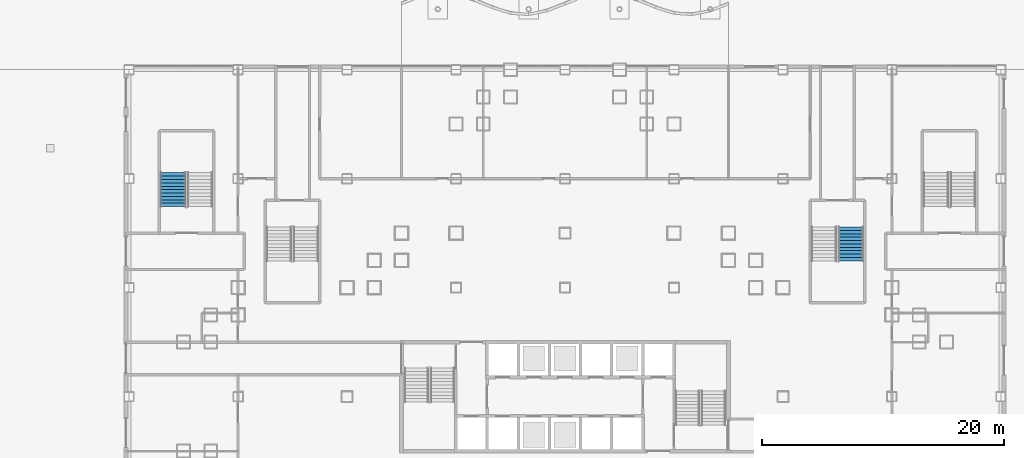
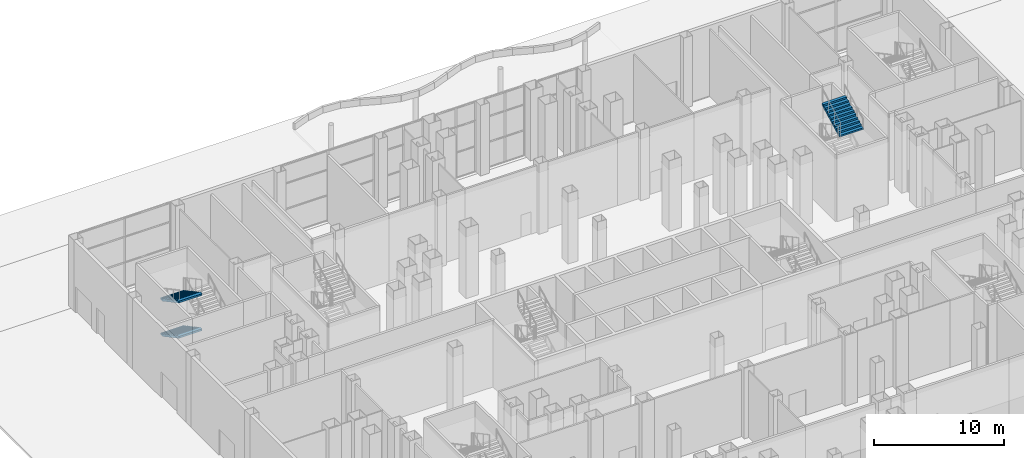
# One storey, part 27 of 38: 3 stair flights, 2 elements without a shape of their own.
"""IFC4 building model written with IfcOpenShell, lengths in metres."""

from ifc_helpers import new_model, si_unit, direction, frame, origin, place, context, subcontext, project, spatial, polygons, material, type_object, element, aggregate, save


model = new_model("IFC4")

# Units and contexts
model_context = context("Model", 3, precision=1e-05, world=origin(), true_north=direction((0.0, 1.0)))
body_context = subcontext(model_context, "Body", "Model", "MODEL_VIEW")
ifc_project = project(units=[si_unit("LENGTHUNIT", "METRE"), si_unit("AREAUNIT", "SQUARE_METRE"), si_unit("VOLUMEUNIT", "CUBIC_METRE"), si_unit("PLANEANGLEUNIT", "RADIAN"), si_unit("MASSUNIT", "GRAM", prefix="KILO")], contexts=[model_context])

# Site, building, storey
site_placement = place(None, origin())
site = spatial("IfcSite", under=ifc_project, at=site_placement, CompositionType="ELEMENT")
building_placement = place(site_placement, origin())
building = spatial("IfcBuilding", under=site, at=building_placement, Name="Caravel Reach Hotel and Residences", CompositionType="ELEMENT")
storey_placement = place(building_placement, origin())
storey = spatial("IfcBuildingStorey", under=building, at=storey_placement, Name="L00", CompositionType="ELEMENT", Elevation=0.0)

# Stair, stair flight
ifc_material_1 = material(Name="Concrete C40", Category="concrete")
stair_type = type_object("IfcStairType", Name="Core stair", PredefinedType="HALF_TURN_STAIR", material=ifc_material_1)
stair_1_placement = place(storey_placement, origin())
stair_1 = element("IfcStair", 1, at=stair_1_placement, inside=storey, type_object=stair_type, Name="L00 Exit stair P2", PredefinedType="HALF_TURN_STAIR")
ifc_material_2 = material(Name="Concrete C40", Category="concrete")
stair_flight_type = type_object("IfcStairFlightType", Name="Core stair flight", PredefinedType="STRAIGHT", material=ifc_material_2)
stair_flight_1_placement = place(storey_placement, frame((55.110107421875, 38.2099609375, 4.949951171875), z_axis=(0.0, 0.0, 1.0), x_axis=(0.0, 1.0, 0.0)))
stair_flight_1 = element("IfcStairFlight", 2, at=stair_flight_1_placement, type_object=stair_flight_type, Name="ST-P2 flight 4", NumberOfRisers=11, NumberOfTreads=10, PredefinedType="STRAIGHT", RiserHeight=0.15, TreadLength=0.28, context=body_context, shape_type="Tessellation", body=[
    polygons([(0.3174408016601862, 1.0350341796875, 0.0), (0.3174408016601862, 0.6900227864583333, 0.0), (0.3174408016601862, 0.34501139322916663, 0.0), (0.3174408016601862, 0.0, 0.0), (0.3174408016601862, -0.34501139322916674, 0.0), (0.3174408016601862, -0.6900227864583333, 0.0), (0.3174408016601862, -1.0350341796875, 0.0), (2.801, 1.0350341796875, 1.329942427682043), (2.801, 0.6900227864583333, 1.329942427682043), (2.801, 0.34501139322916663, 1.329942427682043), (2.801, 0.0, 1.329942427682043), (2.801, -0.34501139322916674, 1.329942427682043), (2.801, -0.6900227864583333, 1.329942427682043), (2.801, -1.0350341796875, 1.329942427682043), (2.801, 1.0350341796875, 1.5), (2.801, 0.6900227864583333, 1.5), (2.801, 0.34501139322916663, 1.5), (2.801, 0.0, 1.5), (2.801, -0.34501139322916674, 1.5), (2.801, -0.6900227864583333, 1.5), (2.801, -1.0350341796875, 1.5), (2.5200000000000005, 1.0350341796875, 1.5), (2.5200000000000005, 0.6900227864583333, 1.5), (2.5200000000000005, 0.34501139322916663, 1.5), (2.5200000000000005, 0.0, 1.5), (2.5200000000000005, -0.34501139322916674, 1.5), (2.5200000000000005, -0.6900227864583333, 1.5), (2.5200000000000005, -1.0350341796875, 1.5), (2.5200000000000005, 1.0350341796875, 1.3499999999999999), (2.5200000000000005, 0.6900227864583333, 1.3499999999999999), (2.5200000000000005, 0.34501139322916663, 1.3499999999999999), (2.5200000000000005, 0.0, 1.3499999999999999), (2.5200000000000005, -0.34501139322916674, 1.3499999999999999), (2.5200000000000005, -0.6900227864583333, 1.3499999999999999), (2.5200000000000005, -1.0350341796875, 1.3499999999999999), (2.24, 1.0350341796875, 1.3499999999999999), (2.24, 0.6900227864583333, 1.3499999999999999), (2.24, 0.34501139322916663, 1.3499999999999999), (2.24, 0.0, 1.3499999999999999), (2.24, -0.34501139322916674, 1.3499999999999999), (2.24, -0.6900227864583333, 1.3499999999999999), (2.24, -1.0350341796875, 1.3499999999999999), (2.24, 1.0350341796875, 1.2), (2.24, 0.6900227864583333, 1.2), (2.24, 0.34501139322916663, 1.2), (2.24, 0.0, 1.2), (2.24, -0.34501139322916674, 1.2), (2.24, -0.6900227864583333, 1.2), (2.24, -1.0350341796875, 1.2), (1.9600000000000002, 1.0350341796875, 1.2), (1.9600000000000002, 0.6900227864583333, 1.2), (1.9600000000000002, 0.34501139322916663, 1.2), (1.9600000000000002, 0.0, 1.2), (1.9600000000000002, -0.34501139322916674, 1.2), (1.9600000000000002, -0.6900227864583333, 1.2), (1.9600000000000002, -1.0350341796875, 1.2), (1.9600000000000002, 1.0350341796875, 1.05), (1.9600000000000002, 0.6900227864583333, 1.05), (1.9600000000000002, 0.34501139322916663, 1.05), (1.9600000000000002, 0.0, 1.05), (1.9600000000000002, -0.34501139322916674, 1.05), (1.9600000000000002, -0.6900227864583333, 1.05), (1.9600000000000002, -1.0350341796875, 1.05), (1.6800000000000002, 1.0350341796875, 1.05), (1.6800000000000002, 0.6900227864583333, 1.05), (1.6800000000000002, 0.34501139322916663, 1.05), (1.6800000000000002, 0.0, 1.05), (1.6800000000000002, -0.34501139322916674, 1.05), (1.6800000000000002, -0.6900227864583333, 1.05), (1.6800000000000002, -1.0350341796875, 1.05), (1.6800000000000002, 1.0350341796875, 0.8999999999999999), (1.6800000000000002, 0.6900227864583333, 0.8999999999999999), (1.6800000000000002, 0.34501139322916663, 0.8999999999999999), (1.6800000000000002, 0.0, 0.8999999999999999), (1.6800000000000002, -0.34501139322916674, 0.8999999999999999), (1.6800000000000002, -0.6900227864583333, 0.8999999999999999), (1.6800000000000002, -1.0350341796875, 0.8999999999999999), (1.4000000000000001, 1.0350341796875, 0.8999999999999999), (1.4000000000000001, 0.6900227864583333, 0.8999999999999999), (1.4000000000000001, 0.34501139322916663, 0.8999999999999999), (1.4000000000000001, 0.0, 0.8999999999999999), (1.4000000000000001, -0.34501139322916674, 0.8999999999999999), (1.4000000000000001, -0.6900227864583333, 0.8999999999999999), (1.4000000000000001, -1.0350341796875, 0.8999999999999999), (1.4000000000000001, 1.0350341796875, 0.75), (1.4000000000000001, 0.6900227864583333, 0.75), (1.4000000000000001, 0.34501139322916663, 0.75), (1.4000000000000001, 0.0, 0.75), (1.4000000000000001, -0.34501139322916674, 0.75), (1.4000000000000001, -0.6900227864583333, 0.75), (1.4000000000000001, -1.0350341796875, 0.75), (1.12, 1.0350341796875, 0.75), (1.12, 0.6900227864583333, 0.75), (1.12, 0.34501139322916663, 0.75), (1.12, 0.0, 0.75), (1.12, -0.34501139322916674, 0.75), (1.12, -0.6900227864583333, 0.75), (1.12, -1.0350341796875, 0.75), (1.12, 1.0350341796875, 0.6), (1.12, 0.6900227864583333, 0.6), (1.12, 0.34501139322916663, 0.6), (1.12, 0.0, 0.6), (1.12, -0.34501139322916674, 0.6), (1.12, -0.6900227864583333, 0.6), (1.12, -1.0350341796875, 0.6), (0.8400000000000001, 1.0350341796875, 0.6), (0.8400000000000001, 0.6900227864583333, 0.6), (0.8400000000000001, 0.34501139322916663, 0.6), (0.8400000000000001, 0.0, 0.6), (0.8400000000000001, -0.34501139322916674, 0.6), (0.8400000000000001, -0.6900227864583333, 0.6), (0.8400000000000001, -1.0350341796875, 0.6), (0.8400000000000001, 1.0350341796875, 0.44999999999999996), (0.8400000000000001, 0.6900227864583333, 0.44999999999999996), (0.8400000000000001, 0.34501139322916663, 0.44999999999999996), (0.8400000000000001, 0.0, 0.44999999999999996), (0.8400000000000001, -0.34501139322916674, 0.44999999999999996), (0.8400000000000001, -0.6900227864583333, 0.44999999999999996), (0.8400000000000001, -1.0350341796875, 0.44999999999999996), (0.56, 1.0350341796875, 0.44999999999999996), (0.56, 0.6900227864583333, 0.44999999999999996), (0.56, 0.34501139322916663, 0.44999999999999996), (0.56, 0.0, 0.44999999999999996), (0.56, -0.34501139322916674, 0.44999999999999996), (0.56, -0.6900227864583333, 0.44999999999999996), (0.56, -1.0350341796875, 0.44999999999999996), (0.56, 1.0350341796875, 0.3), (0.56, 0.6900227864583333, 0.3), (0.56, 0.34501139322916663, 0.3), (0.56, 0.0, 0.3), (0.56, -0.34501139322916674, 0.3), (0.56, -0.6900227864583333, 0.3), (0.56, -1.0350341796875, 0.3), (0.28, 1.0350341796875, 0.3), (0.28, 0.6900227864583333, 0.3), (0.28, 0.34501139322916663, 0.3), (0.28, 0.0, 0.3), (0.28, -0.34501139322916674, 0.3), (0.28, -0.6900227864583333, 0.3), (0.28, -1.0350341796875, 0.3), (0.28, 1.0350341796875, 0.15), (0.28, 0.6900227864583333, 0.15), (0.28, 0.34501139322916663, 0.15), (0.28, 0.0, 0.15), (0.28, -0.34501139322916674, 0.15), (0.28, -0.6900227864583333, 0.15), (0.28, -1.0350341796875, 0.15), (-0.001, 1.0350341796875, 0.15), (-0.001, 0.6900227864583333, 0.15), (-0.001, 0.34501139322916663, 0.15), (-0.001, 0.0, 0.15), (-0.001, -0.34501139322916674, 0.15), (-0.001, -0.6900227864583333, 0.15), (-0.001, -1.0350341796875, 0.15), (-0.001, 1.0350341796875, 0.0), (-0.001, 0.6900227864583333, 0.0), (-0.001, 0.34501139322916663, 0.0), (-0.001, 0.0, 0.0), (-0.001, -0.34501139322916674, 0.0), (-0.001, -0.6900227864583333, 0.0), (-0.001, -1.0350341796875, 0.0)], [[[155, 148, 141, 134, 127, 120, 113, 106, 99, 92, 85, 78, 71, 64, 57, 50, 43, 36, 29, 22, 15, 8, 1]], [[7, 14, 21, 28, 35, 42, 49, 56, 63, 70, 77, 84, 91, 98, 105, 112, 119, 126, 133, 140, 147, 154, 161]], [[1, 8, 9, 2]], [[2, 9, 10, 3]], [[3, 10, 11, 4]], [[4, 11, 12, 5]], [[5, 12, 13, 6]], [[6, 13, 14, 7]], [[8, 15, 16, 9]], [[9, 16, 17, 10]], [[10, 17, 18, 11]], [[11, 18, 19, 12]], [[12, 19, 20, 13]], [[13, 20, 21, 14]], [[15, 22, 23, 16]], [[16, 23, 24, 17]], [[17, 24, 25, 18]], [[18, 25, 26, 19]], [[19, 26, 27, 20]], [[20, 27, 28, 21]], [[22, 29, 30, 23]], [[23, 30, 31, 24]], [[24, 31, 32, 25]], [[25, 32, 33, 26]], [[26, 33, 34, 27]], [[27, 34, 35, 28]], [[29, 36, 37, 30]], [[30, 37, 38, 31]], [[31, 38, 39, 32]], [[32, 39, 40, 33]], [[33, 40, 41, 34]], [[34, 41, 42, 35]], [[36, 43, 44, 37]], [[37, 44, 45, 38]], [[38, 45, 46, 39]], [[39, 46, 47, 40]], [[40, 47, 48, 41]], [[41, 48, 49, 42]], [[43, 50, 51, 44]], [[44, 51, 52, 45]], [[45, 52, 53, 46]], [[46, 53, 54, 47]], [[47, 54, 55, 48]], [[48, 55, 56, 49]], [[50, 57, 58, 51]], [[51, 58, 59, 52]], [[52, 59, 60, 53]], [[53, 60, 61, 54]], [[54, 61, 62, 55]], [[55, 62, 63, 56]], [[57, 64, 65, 58]], [[58, 65, 66, 59]], [[59, 66, 67, 60]], [[60, 67, 68, 61]], [[61, 68, 69, 62]], [[62, 69, 70, 63]], [[64, 71, 72, 65]], [[65, 72, 73, 66]], [[66, 73, 74, 67]], [[67, 74, 75, 68]], [[68, 75, 76, 69]], [[69, 76, 77, 70]], [[71, 78, 79, 72]], [[72, 79, 80, 73]], [[73, 80, 81, 74]], [[74, 81, 82, 75]], [[75, 82, 83, 76]], [[76, 83, 84, 77]], [[78, 85, 86, 79]], [[79, 86, 87, 80]], [[80, 87, 88, 81]], [[81, 88, 89, 82]], [[82, 89, 90, 83]], [[83, 90, 91, 84]], [[85, 92, 93, 86]], [[86, 93, 94, 87]], [[87, 94, 95, 88]], [[88, 95, 96, 89]], [[89, 96, 97, 90]], [[90, 97, 98, 91]], [[92, 99, 100, 93]], [[93, 100, 101, 94]], [[94, 101, 102, 95]], [[95, 102, 103, 96]], [[96, 103, 104, 97]], [[97, 104, 105, 98]], [[99, 106, 107, 100]], [[100, 107, 108, 101]], [[101, 108, 109, 102]], [[102, 109, 110, 103]], [[103, 110, 111, 104]], [[104, 111, 112, 105]], [[106, 113, 114, 107]], [[107, 114, 115, 108]], [[108, 115, 116, 109]], [[109, 116, 117, 110]], [[110, 117, 118, 111]], [[111, 118, 119, 112]], [[113, 120, 121, 114]], [[114, 121, 122, 115]], [[115, 122, 123, 116]], [[116, 123, 124, 117]], [[117, 124, 125, 118]], [[118, 125, 126, 119]], [[120, 127, 128, 121]], [[121, 128, 129, 122]], [[122, 129, 130, 123]], [[123, 130, 131, 124]], [[124, 131, 132, 125]], [[125, 132, 133, 126]], [[127, 134, 135, 128]], [[128, 135, 136, 129]], [[129, 136, 137, 130]], [[130, 137, 138, 131]], [[131, 138, 139, 132]], [[132, 139, 140, 133]], [[134, 141, 142, 135]], [[135, 142, 143, 136]], [[136, 143, 144, 137]], [[137, 144, 145, 138]], [[138, 145, 146, 139]], [[139, 146, 147, 140]], [[141, 148, 149, 142]], [[142, 149, 150, 143]], [[143, 150, 151, 144]], [[144, 151, 152, 145]], [[145, 152, 153, 146]], [[146, 153, 154, 147]], [[148, 155, 156, 149]], [[149, 156, 157, 150]], [[150, 157, 158, 151]], [[151, 158, 159, 152]], [[152, 159, 160, 153]], [[153, 160, 161, 154]], [[155, 1, 2, 156]], [[156, 2, 3, 157]], [[157, 3, 4, 158]], [[158, 4, 5, 159]], [[159, 5, 6, 160]], [[160, 6, 7, 161]]], closed=True),
])
aggregate(stair_1, [stair_flight_1])

# Stair, stair flights
stair_2_placement = place(storey_placement, origin())
stair_2 = element("IfcStair", 3, at=stair_2_placement, inside=storey, type_object=stair_type, Name="L00 Exit stair P5", PredefinedType="HALF_TURN_STAIR")
stair_flight_2_placement = place(storey_placement, frame((-0.860107421875, 45.489990234375, 1.64990234375), z_axis=(0.0, 0.0, 1.0), x_axis=(0.0, -1.0, 0.0)))
stair_flight_2 = element("IfcStairFlight", 4, at=stair_flight_2_placement, type_object=stair_flight_type, Name="ST-P5 flight 2", NumberOfRisers=11, NumberOfTreads=10, PredefinedType="STRAIGHT", RiserHeight=0.15, TreadLength=0.28, context=body_context, shape_type="Tessellation", body=[
    polygons([(0.3174408016601862, 1.0350341796875, 0.0), (0.3174408016601862, 0.6900227864583333, 0.0), (0.3174408016601862, 0.34501139322916663, 0.0), (0.3174408016601862, 0.0, 0.0), (0.3174408016601862, -0.34501139322916674, 0.0), (0.3174408016601862, -0.6900227864583333, 0.0), (0.3174408016601862, -1.0350341796875, 0.0), (2.801, 1.0350341796875, 1.329942427682043), (2.801, 0.6900227864583333, 1.329942427682043), (2.801, 0.34501139322916663, 1.329942427682043), (2.801, 0.0, 1.329942427682043), (2.801, -0.34501139322916674, 1.329942427682043), (2.801, -0.6900227864583333, 1.329942427682043), (2.801, -1.0350341796875, 1.329942427682043), (2.801, 1.0350341796875, 1.5), (2.801, 0.6900227864583333, 1.5), (2.801, 0.34501139322916663, 1.5), (2.801, 0.0, 1.5), (2.801, -0.34501139322916674, 1.5), (2.801, -0.6900227864583333, 1.5), (2.801, -1.0350341796875, 1.5), (2.5200000000000005, 1.0350341796875, 1.5), (2.5200000000000005, 0.6900227864583333, 1.5), (2.5200000000000005, 0.34501139322916663, 1.5), (2.5200000000000005, 0.0, 1.5), (2.5200000000000005, -0.34501139322916674, 1.5), (2.5200000000000005, -0.6900227864583333, 1.5), (2.5200000000000005, -1.0350341796875, 1.5), (2.5200000000000005, 1.0350341796875, 1.3499999999999999), (2.5200000000000005, 0.6900227864583333, 1.3499999999999999), (2.5200000000000005, 0.34501139322916663, 1.3499999999999999), (2.5200000000000005, 0.0, 1.3499999999999999), (2.5200000000000005, -0.34501139322916674, 1.3499999999999999), (2.5200000000000005, -0.6900227864583333, 1.3499999999999999), (2.5200000000000005, -1.0350341796875, 1.3499999999999999), (2.24, 1.0350341796875, 1.3499999999999999), (2.24, 0.6900227864583333, 1.3499999999999999), (2.24, 0.34501139322916663, 1.3499999999999999), (2.24, 0.0, 1.3499999999999999), (2.24, -0.34501139322916674, 1.3499999999999999), (2.24, -0.6900227864583333, 1.3499999999999999), (2.24, -1.0350341796875, 1.3499999999999999), (2.24, 1.0350341796875, 1.2), (2.24, 0.6900227864583333, 1.2), (2.24, 0.34501139322916663, 1.2), (2.24, 0.0, 1.2), (2.24, -0.34501139322916674, 1.2), (2.24, -0.6900227864583333, 1.2), (2.24, -1.0350341796875, 1.2), (1.9600000000000002, 1.0350341796875, 1.2), (1.9600000000000002, 0.6900227864583333, 1.2), (1.9600000000000002, 0.34501139322916663, 1.2), (1.9600000000000002, 0.0, 1.2), (1.9600000000000002, -0.34501139322916674, 1.2), (1.9600000000000002, -0.6900227864583333, 1.2), (1.9600000000000002, -1.0350341796875, 1.2), (1.9600000000000002, 1.0350341796875, 1.05), (1.9600000000000002, 0.6900227864583333, 1.05), (1.9600000000000002, 0.34501139322916663, 1.05), (1.9600000000000002, 0.0, 1.05), (1.9600000000000002, -0.34501139322916674, 1.05), (1.9600000000000002, -0.6900227864583333, 1.05), (1.9600000000000002, -1.0350341796875, 1.05), (1.6800000000000002, 1.0350341796875, 1.05), (1.6800000000000002, 0.6900227864583333, 1.05), (1.6800000000000002, 0.34501139322916663, 1.05), (1.6800000000000002, 0.0, 1.05), (1.6800000000000002, -0.34501139322916674, 1.05), (1.6800000000000002, -0.6900227864583333, 1.05), (1.6800000000000002, -1.0350341796875, 1.05), (1.6800000000000002, 1.0350341796875, 0.8999999999999999), (1.6800000000000002, 0.6900227864583333, 0.8999999999999999), (1.6800000000000002, 0.34501139322916663, 0.8999999999999999), (1.6800000000000002, 0.0, 0.8999999999999999), (1.6800000000000002, -0.34501139322916674, 0.8999999999999999), (1.6800000000000002, -0.6900227864583333, 0.8999999999999999), (1.6800000000000002, -1.0350341796875, 0.8999999999999999), (1.4000000000000001, 1.0350341796875, 0.8999999999999999), (1.4000000000000001, 0.6900227864583333, 0.8999999999999999), (1.4000000000000001, 0.34501139322916663, 0.8999999999999999), (1.4000000000000001, 0.0, 0.8999999999999999), (1.4000000000000001, -0.34501139322916674, 0.8999999999999999), (1.4000000000000001, -0.6900227864583333, 0.8999999999999999), (1.4000000000000001, -1.0350341796875, 0.8999999999999999), (1.4000000000000001, 1.0350341796875, 0.75), (1.4000000000000001, 0.6900227864583333, 0.75), (1.4000000000000001, 0.34501139322916663, 0.75), (1.4000000000000001, 0.0, 0.75), (1.4000000000000001, -0.34501139322916674, 0.75), (1.4000000000000001, -0.6900227864583333, 0.75), (1.4000000000000001, -1.0350341796875, 0.75), (1.12, 1.0350341796875, 0.75), (1.12, 0.6900227864583333, 0.75), (1.12, 0.34501139322916663, 0.75), (1.12, 0.0, 0.75), (1.12, -0.34501139322916674, 0.75), (1.12, -0.6900227864583333, 0.75), (1.12, -1.0350341796875, 0.75), (1.12, 1.0350341796875, 0.6), (1.12, 0.6900227864583333, 0.6), (1.12, 0.34501139322916663, 0.6), (1.12, 0.0, 0.6), (1.12, -0.34501139322916674, 0.6), (1.12, -0.6900227864583333, 0.6), (1.12, -1.0350341796875, 0.6), (0.8400000000000001, 1.0350341796875, 0.6), (0.8400000000000001, 0.6900227864583333, 0.6), (0.8400000000000001, 0.34501139322916663, 0.6), (0.8400000000000001, 0.0, 0.6), (0.8400000000000001, -0.34501139322916674, 0.6), (0.8400000000000001, -0.6900227864583333, 0.6), (0.8400000000000001, -1.0350341796875, 0.6), (0.8400000000000001, 1.0350341796875, 0.44999999999999996), (0.8400000000000001, 0.6900227864583333, 0.44999999999999996), (0.8400000000000001, 0.34501139322916663, 0.44999999999999996), (0.8400000000000001, 0.0, 0.44999999999999996), (0.8400000000000001, -0.34501139322916674, 0.44999999999999996), (0.8400000000000001, -0.6900227864583333, 0.44999999999999996), (0.8400000000000001, -1.0350341796875, 0.44999999999999996), (0.56, 1.0350341796875, 0.44999999999999996), (0.56, 0.6900227864583333, 0.44999999999999996), (0.56, 0.34501139322916663, 0.44999999999999996), (0.56, 0.0, 0.44999999999999996), (0.56, -0.34501139322916674, 0.44999999999999996), (0.56, -0.6900227864583333, 0.44999999999999996), (0.56, -1.0350341796875, 0.44999999999999996), (0.56, 1.0350341796875, 0.3), (0.56, 0.6900227864583333, 0.3), (0.56, 0.34501139322916663, 0.3), (0.56, 0.0, 0.3), (0.56, -0.34501139322916674, 0.3), (0.56, -0.6900227864583333, 0.3), (0.56, -1.0350341796875, 0.3), (0.28, 1.0350341796875, 0.3), (0.28, 0.6900227864583333, 0.3), (0.28, 0.34501139322916663, 0.3), (0.28, 0.0, 0.3), (0.28, -0.34501139322916674, 0.3), (0.28, -0.6900227864583333, 0.3), (0.28, -1.0350341796875, 0.3), (0.28, 1.0350341796875, 0.15), (0.28, 0.6900227864583333, 0.15), (0.28, 0.34501139322916663, 0.15), (0.28, 0.0, 0.15), (0.28, -0.34501139322916674, 0.15), (0.28, -0.6900227864583333, 0.15), (0.28, -1.0350341796875, 0.15), (-0.001, 1.0350341796875, 0.15), (-0.001, 0.6900227864583333, 0.15), (-0.001, 0.34501139322916663, 0.15), (-0.001, 0.0, 0.15), (-0.001, -0.34501139322916674, 0.15), (-0.001, -0.6900227864583333, 0.15), (-0.001, -1.0350341796875, 0.15), (-0.001, 1.0350341796875, 0.0), (-0.001, 0.6900227864583333, 0.0), (-0.001, 0.34501139322916663, 0.0), (-0.001, 0.0, 0.0), (-0.001, -0.34501139322916674, 0.0), (-0.001, -0.6900227864583333, 0.0), (-0.001, -1.0350341796875, 0.0)], [[[155, 148, 141, 134, 127, 120, 113, 106, 99, 92, 85, 78, 71, 64, 57, 50, 43, 36, 29, 22, 15, 8, 1]], [[7, 14, 21, 28, 35, 42, 49, 56, 63, 70, 77, 84, 91, 98, 105, 112, 119, 126, 133, 140, 147, 154, 161]], [[1, 8, 9, 2]], [[2, 9, 10, 3]], [[3, 10, 11, 4]], [[4, 11, 12, 5]], [[5, 12, 13, 6]], [[6, 13, 14, 7]], [[8, 15, 16, 9]], [[9, 16, 17, 10]], [[10, 17, 18, 11]], [[11, 18, 19, 12]], [[12, 19, 20, 13]], [[13, 20, 21, 14]], [[15, 22, 23, 16]], [[16, 23, 24, 17]], [[17, 24, 25, 18]], [[18, 25, 26, 19]], [[19, 26, 27, 20]], [[20, 27, 28, 21]], [[22, 29, 30, 23]], [[23, 30, 31, 24]], [[24, 31, 32, 25]], [[25, 32, 33, 26]], [[26, 33, 34, 27]], [[27, 34, 35, 28]], [[29, 36, 37, 30]], [[30, 37, 38, 31]], [[31, 38, 39, 32]], [[32, 39, 40, 33]], [[33, 40, 41, 34]], [[34, 41, 42, 35]], [[36, 43, 44, 37]], [[37, 44, 45, 38]], [[38, 45, 46, 39]], [[39, 46, 47, 40]], [[40, 47, 48, 41]], [[41, 48, 49, 42]], [[43, 50, 51, 44]], [[44, 51, 52, 45]], [[45, 52, 53, 46]], [[46, 53, 54, 47]], [[47, 54, 55, 48]], [[48, 55, 56, 49]], [[50, 57, 58, 51]], [[51, 58, 59, 52]], [[52, 59, 60, 53]], [[53, 60, 61, 54]], [[54, 61, 62, 55]], [[55, 62, 63, 56]], [[57, 64, 65, 58]], [[58, 65, 66, 59]], [[59, 66, 67, 60]], [[60, 67, 68, 61]], [[61, 68, 69, 62]], [[62, 69, 70, 63]], [[64, 71, 72, 65]], [[65, 72, 73, 66]], [[66, 73, 74, 67]], [[67, 74, 75, 68]], [[68, 75, 76, 69]], [[69, 76, 77, 70]], [[71, 78, 79, 72]], [[72, 79, 80, 73]], [[73, 80, 81, 74]], [[74, 81, 82, 75]], [[75, 82, 83, 76]], [[76, 83, 84, 77]], [[78, 85, 86, 79]], [[79, 86, 87, 80]], [[80, 87, 88, 81]], [[81, 88, 89, 82]], [[82, 89, 90, 83]], [[83, 90, 91, 84]], [[85, 92, 93, 86]], [[86, 93, 94, 87]], [[87, 94, 95, 88]], [[88, 95, 96, 89]], [[89, 96, 97, 90]], [[90, 97, 98, 91]], [[92, 99, 100, 93]], [[93, 100, 101, 94]], [[94, 101, 102, 95]], [[95, 102, 103, 96]], [[96, 103, 104, 97]], [[97, 104, 105, 98]], [[99, 106, 107, 100]], [[100, 107, 108, 101]], [[101, 108, 109, 102]], [[102, 109, 110, 103]], [[103, 110, 111, 104]], [[104, 111, 112, 105]], [[106, 113, 114, 107]], [[107, 114, 115, 108]], [[108, 115, 116, 109]], [[109, 116, 117, 110]], [[110, 117, 118, 111]], [[111, 118, 119, 112]], [[113, 120, 121, 114]], [[114, 121, 122, 115]], [[115, 122, 123, 116]], [[116, 123, 124, 117]], [[117, 124, 125, 118]], [[118, 125, 126, 119]], [[120, 127, 128, 121]], [[121, 128, 129, 122]], [[122, 129, 130, 123]], [[123, 130, 131, 124]], [[124, 131, 132, 125]], [[125, 132, 133, 126]], [[127, 134, 135, 128]], [[128, 135, 136, 129]], [[129, 136, 137, 130]], [[130, 137, 138, 131]], [[131, 138, 139, 132]], [[132, 139, 140, 133]], [[134, 141, 142, 135]], [[135, 142, 143, 136]], [[136, 143, 144, 137]], [[137, 144, 145, 138]], [[138, 145, 146, 139]], [[139, 146, 147, 140]], [[141, 148, 149, 142]], [[142, 149, 150, 143]], [[143, 150, 151, 144]], [[144, 151, 152, 145]], [[145, 152, 153, 146]], [[146, 153, 154, 147]], [[148, 155, 156, 149]], [[149, 156, 157, 150]], [[150, 157, 158, 151]], [[151, 158, 159, 152]], [[152, 159, 160, 153]], [[153, 160, 161, 154]], [[155, 1, 2, 156]], [[156, 2, 3, 157]], [[157, 3, 4, 158]], [[158, 4, 5, 159]], [[159, 5, 6, 160]], [[160, 6, 7, 161]]], closed=True),
])
stair_flight_3_placement = place(storey_placement, frame((-0.860107421875, 45.489990234375, 4.949951171875), z_axis=(0.0, 0.0, 1.0), x_axis=(0.0, -1.0, 0.0)))
stair_flight_3 = element("IfcStairFlight", 5, at=stair_flight_3_placement, type_object=stair_flight_type, Name="ST-P5 flight 4", NumberOfRisers=11, NumberOfTreads=10, PredefinedType="STRAIGHT", RiserHeight=0.15, TreadLength=0.28, context=body_context, shape_type="Tessellation", body=[
    polygons([(0.3174408016601862, 1.0350341796875, 0.0), (0.3174408016601862, 0.6900227864583333, 0.0), (0.3174408016601862, 0.34501139322916663, 0.0), (0.3174408016601862, 0.0, 0.0), (0.3174408016601862, -0.34501139322916674, 0.0), (0.3174408016601862, -0.6900227864583333, 0.0), (0.3174408016601862, -1.0350341796875, 0.0), (2.801, 1.0350341796875, 1.329942427682043), (2.801, 0.6900227864583333, 1.329942427682043), (2.801, 0.34501139322916663, 1.329942427682043), (2.801, 0.0, 1.329942427682043), (2.801, -0.34501139322916674, 1.329942427682043), (2.801, -0.6900227864583333, 1.329942427682043), (2.801, -1.0350341796875, 1.329942427682043), (2.801, 1.0350341796875, 1.5), (2.801, 0.6900227864583333, 1.5), (2.801, 0.34501139322916663, 1.5), (2.801, 0.0, 1.5), (2.801, -0.34501139322916674, 1.5), (2.801, -0.6900227864583333, 1.5), (2.801, -1.0350341796875, 1.5), (2.5200000000000005, 1.0350341796875, 1.5), (2.5200000000000005, 0.6900227864583333, 1.5), (2.5200000000000005, 0.34501139322916663, 1.5), (2.5200000000000005, 0.0, 1.5), (2.5200000000000005, -0.34501139322916674, 1.5), (2.5200000000000005, -0.6900227864583333, 1.5), (2.5200000000000005, -1.0350341796875, 1.5), (2.5200000000000005, 1.0350341796875, 1.3499999999999999), (2.5200000000000005, 0.6900227864583333, 1.3499999999999999), (2.5200000000000005, 0.34501139322916663, 1.3499999999999999), (2.5200000000000005, 0.0, 1.3499999999999999), (2.5200000000000005, -0.34501139322916674, 1.3499999999999999), (2.5200000000000005, -0.6900227864583333, 1.3499999999999999), (2.5200000000000005, -1.0350341796875, 1.3499999999999999), (2.24, 1.0350341796875, 1.3499999999999999), (2.24, 0.6900227864583333, 1.3499999999999999), (2.24, 0.34501139322916663, 1.3499999999999999), (2.24, 0.0, 1.3499999999999999), (2.24, -0.34501139322916674, 1.3499999999999999), (2.24, -0.6900227864583333, 1.3499999999999999), (2.24, -1.0350341796875, 1.3499999999999999), (2.24, 1.0350341796875, 1.2), (2.24, 0.6900227864583333, 1.2), (2.24, 0.34501139322916663, 1.2), (2.24, 0.0, 1.2), (2.24, -0.34501139322916674, 1.2), (2.24, -0.6900227864583333, 1.2), (2.24, -1.0350341796875, 1.2), (1.9600000000000002, 1.0350341796875, 1.2), (1.9600000000000002, 0.6900227864583333, 1.2), (1.9600000000000002, 0.34501139322916663, 1.2), (1.9600000000000002, 0.0, 1.2), (1.9600000000000002, -0.34501139322916674, 1.2), (1.9600000000000002, -0.6900227864583333, 1.2), (1.9600000000000002, -1.0350341796875, 1.2), (1.9600000000000002, 1.0350341796875, 1.05), (1.9600000000000002, 0.6900227864583333, 1.05), (1.9600000000000002, 0.34501139322916663, 1.05), (1.9600000000000002, 0.0, 1.05), (1.9600000000000002, -0.34501139322916674, 1.05), (1.9600000000000002, -0.6900227864583333, 1.05), (1.9600000000000002, -1.0350341796875, 1.05), (1.6800000000000002, 1.0350341796875, 1.05), (1.6800000000000002, 0.6900227864583333, 1.05), (1.6800000000000002, 0.34501139322916663, 1.05), (1.6800000000000002, 0.0, 1.05), (1.6800000000000002, -0.34501139322916674, 1.05), (1.6800000000000002, -0.6900227864583333, 1.05), (1.6800000000000002, -1.0350341796875, 1.05), (1.6800000000000002, 1.0350341796875, 0.8999999999999999), (1.6800000000000002, 0.6900227864583333, 0.8999999999999999), (1.6800000000000002, 0.34501139322916663, 0.8999999999999999), (1.6800000000000002, 0.0, 0.8999999999999999), (1.6800000000000002, -0.34501139322916674, 0.8999999999999999), (1.6800000000000002, -0.6900227864583333, 0.8999999999999999), (1.6800000000000002, -1.0350341796875, 0.8999999999999999), (1.4000000000000001, 1.0350341796875, 0.8999999999999999), (1.4000000000000001, 0.6900227864583333, 0.8999999999999999), (1.4000000000000001, 0.34501139322916663, 0.8999999999999999), (1.4000000000000001, 0.0, 0.8999999999999999), (1.4000000000000001, -0.34501139322916674, 0.8999999999999999), (1.4000000000000001, -0.6900227864583333, 0.8999999999999999), (1.4000000000000001, -1.0350341796875, 0.8999999999999999), (1.4000000000000001, 1.0350341796875, 0.75), (1.4000000000000001, 0.6900227864583333, 0.75), (1.4000000000000001, 0.34501139322916663, 0.75), (1.4000000000000001, 0.0, 0.75), (1.4000000000000001, -0.34501139322916674, 0.75), (1.4000000000000001, -0.6900227864583333, 0.75), (1.4000000000000001, -1.0350341796875, 0.75), (1.12, 1.0350341796875, 0.75), (1.12, 0.6900227864583333, 0.75), (1.12, 0.34501139322916663, 0.75), (1.12, 0.0, 0.75), (1.12, -0.34501139322916674, 0.75), (1.12, -0.6900227864583333, 0.75), (1.12, -1.0350341796875, 0.75), (1.12, 1.0350341796875, 0.6), (1.12, 0.6900227864583333, 0.6), (1.12, 0.34501139322916663, 0.6), (1.12, 0.0, 0.6), (1.12, -0.34501139322916674, 0.6), (1.12, -0.6900227864583333, 0.6), (1.12, -1.0350341796875, 0.6), (0.8400000000000001, 1.0350341796875, 0.6), (0.8400000000000001, 0.6900227864583333, 0.6), (0.8400000000000001, 0.34501139322916663, 0.6), (0.8400000000000001, 0.0, 0.6), (0.8400000000000001, -0.34501139322916674, 0.6), (0.8400000000000001, -0.6900227864583333, 0.6), (0.8400000000000001, -1.0350341796875, 0.6), (0.8400000000000001, 1.0350341796875, 0.44999999999999996), (0.8400000000000001, 0.6900227864583333, 0.44999999999999996), (0.8400000000000001, 0.34501139322916663, 0.44999999999999996), (0.8400000000000001, 0.0, 0.44999999999999996), (0.8400000000000001, -0.34501139322916674, 0.44999999999999996), (0.8400000000000001, -0.6900227864583333, 0.44999999999999996), (0.8400000000000001, -1.0350341796875, 0.44999999999999996), (0.56, 1.0350341796875, 0.44999999999999996), (0.56, 0.6900227864583333, 0.44999999999999996), (0.56, 0.34501139322916663, 0.44999999999999996), (0.56, 0.0, 0.44999999999999996), (0.56, -0.34501139322916674, 0.44999999999999996), (0.56, -0.6900227864583333, 0.44999999999999996), (0.56, -1.0350341796875, 0.44999999999999996), (0.56, 1.0350341796875, 0.3), (0.56, 0.6900227864583333, 0.3), (0.56, 0.34501139322916663, 0.3), (0.56, 0.0, 0.3), (0.56, -0.34501139322916674, 0.3), (0.56, -0.6900227864583333, 0.3), (0.56, -1.0350341796875, 0.3), (0.28, 1.0350341796875, 0.3), (0.28, 0.6900227864583333, 0.3), (0.28, 0.34501139322916663, 0.3), (0.28, 0.0, 0.3), (0.28, -0.34501139322916674, 0.3), (0.28, -0.6900227864583333, 0.3), (0.28, -1.0350341796875, 0.3), (0.28, 1.0350341796875, 0.15), (0.28, 0.6900227864583333, 0.15), (0.28, 0.34501139322916663, 0.15), (0.28, 0.0, 0.15), (0.28, -0.34501139322916674, 0.15), (0.28, -0.6900227864583333, 0.15), (0.28, -1.0350341796875, 0.15), (-0.001, 1.0350341796875, 0.15), (-0.001, 0.6900227864583333, 0.15), (-0.001, 0.34501139322916663, 0.15), (-0.001, 0.0, 0.15), (-0.001, -0.34501139322916674, 0.15), (-0.001, -0.6900227864583333, 0.15), (-0.001, -1.0350341796875, 0.15), (-0.001, 1.0350341796875, 0.0), (-0.001, 0.6900227864583333, 0.0), (-0.001, 0.34501139322916663, 0.0), (-0.001, 0.0, 0.0), (-0.001, -0.34501139322916674, 0.0), (-0.001, -0.6900227864583333, 0.0), (-0.001, -1.0350341796875, 0.0)], [[[155, 148, 141, 134, 127, 120, 113, 106, 99, 92, 85, 78, 71, 64, 57, 50, 43, 36, 29, 22, 15, 8, 1]], [[7, 14, 21, 28, 35, 42, 49, 56, 63, 70, 77, 84, 91, 98, 105, 112, 119, 126, 133, 140, 147, 154, 161]], [[1, 8, 9, 2]], [[2, 9, 10, 3]], [[3, 10, 11, 4]], [[4, 11, 12, 5]], [[5, 12, 13, 6]], [[6, 13, 14, 7]], [[8, 15, 16, 9]], [[9, 16, 17, 10]], [[10, 17, 18, 11]], [[11, 18, 19, 12]], [[12, 19, 20, 13]], [[13, 20, 21, 14]], [[15, 22, 23, 16]], [[16, 23, 24, 17]], [[17, 24, 25, 18]], [[18, 25, 26, 19]], [[19, 26, 27, 20]], [[20, 27, 28, 21]], [[22, 29, 30, 23]], [[23, 30, 31, 24]], [[24, 31, 32, 25]], [[25, 32, 33, 26]], [[26, 33, 34, 27]], [[27, 34, 35, 28]], [[29, 36, 37, 30]], [[30, 37, 38, 31]], [[31, 38, 39, 32]], [[32, 39, 40, 33]], [[33, 40, 41, 34]], [[34, 41, 42, 35]], [[36, 43, 44, 37]], [[37, 44, 45, 38]], [[38, 45, 46, 39]], [[39, 46, 47, 40]], [[40, 47, 48, 41]], [[41, 48, 49, 42]], [[43, 50, 51, 44]], [[44, 51, 52, 45]], [[45, 52, 53, 46]], [[46, 53, 54, 47]], [[47, 54, 55, 48]], [[48, 55, 56, 49]], [[50, 57, 58, 51]], [[51, 58, 59, 52]], [[52, 59, 60, 53]], [[53, 60, 61, 54]], [[54, 61, 62, 55]], [[55, 62, 63, 56]], [[57, 64, 65, 58]], [[58, 65, 66, 59]], [[59, 66, 67, 60]], [[60, 67, 68, 61]], [[61, 68, 69, 62]], [[62, 69, 70, 63]], [[64, 71, 72, 65]], [[65, 72, 73, 66]], [[66, 73, 74, 67]], [[67, 74, 75, 68]], [[68, 75, 76, 69]], [[69, 76, 77, 70]], [[71, 78, 79, 72]], [[72, 79, 80, 73]], [[73, 80, 81, 74]], [[74, 81, 82, 75]], [[75, 82, 83, 76]], [[76, 83, 84, 77]], [[78, 85, 86, 79]], [[79, 86, 87, 80]], [[80, 87, 88, 81]], [[81, 88, 89, 82]], [[82, 89, 90, 83]], [[83, 90, 91, 84]], [[85, 92, 93, 86]], [[86, 93, 94, 87]], [[87, 94, 95, 88]], [[88, 95, 96, 89]], [[89, 96, 97, 90]], [[90, 97, 98, 91]], [[92, 99, 100, 93]], [[93, 100, 101, 94]], [[94, 101, 102, 95]], [[95, 102, 103, 96]], [[96, 103, 104, 97]], [[97, 104, 105, 98]], [[99, 106, 107, 100]], [[100, 107, 108, 101]], [[101, 108, 109, 102]], [[102, 109, 110, 103]], [[103, 110, 111, 104]], [[104, 111, 112, 105]], [[106, 113, 114, 107]], [[107, 114, 115, 108]], [[108, 115, 116, 109]], [[109, 116, 117, 110]], [[110, 117, 118, 111]], [[111, 118, 119, 112]], [[113, 120, 121, 114]], [[114, 121, 122, 115]], [[115, 122, 123, 116]], [[116, 123, 124, 117]], [[117, 124, 125, 118]], [[118, 125, 126, 119]], [[120, 127, 128, 121]], [[121, 128, 129, 122]], [[122, 129, 130, 123]], [[123, 130, 131, 124]], [[124, 131, 132, 125]], [[125, 132, 133, 126]], [[127, 134, 135, 128]], [[128, 135, 136, 129]], [[129, 136, 137, 130]], [[130, 137, 138, 131]], [[131, 138, 139, 132]], [[132, 139, 140, 133]], [[134, 141, 142, 135]], [[135, 142, 143, 136]], [[136, 143, 144, 137]], [[137, 144, 145, 138]], [[138, 145, 146, 139]], [[139, 146, 147, 140]], [[141, 148, 149, 142]], [[142, 149, 150, 143]], [[143, 150, 151, 144]], [[144, 151, 152, 145]], [[145, 152, 153, 146]], [[146, 153, 154, 147]], [[148, 155, 156, 149]], [[149, 156, 157, 150]], [[150, 157, 158, 151]], [[151, 158, 159, 152]], [[152, 159, 160, 153]], [[153, 160, 161, 154]], [[155, 1, 2, 156]], [[156, 2, 3, 157]], [[157, 3, 4, 158]], [[158, 4, 5, 159]], [[159, 5, 6, 160]], [[160, 6, 7, 161]]], closed=True),
])
aggregate(stair_2, [stair_flight_2, stair_flight_3])

save(model, "model.ifc")
